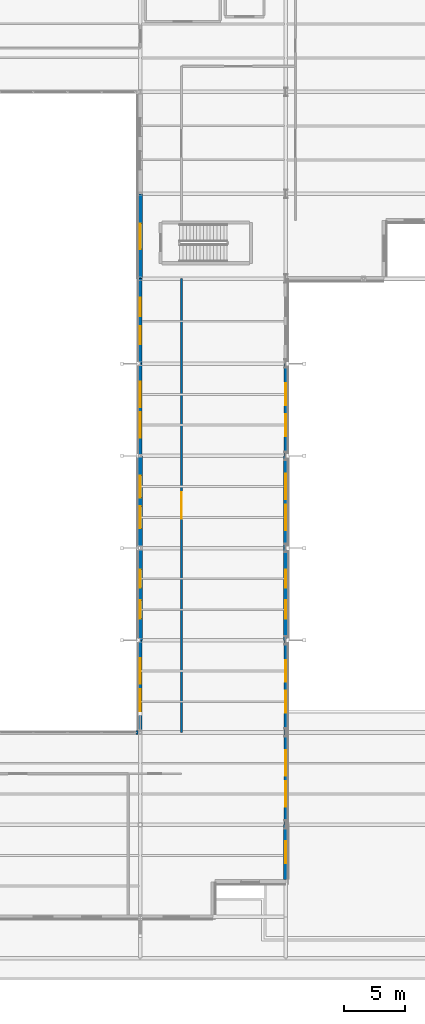
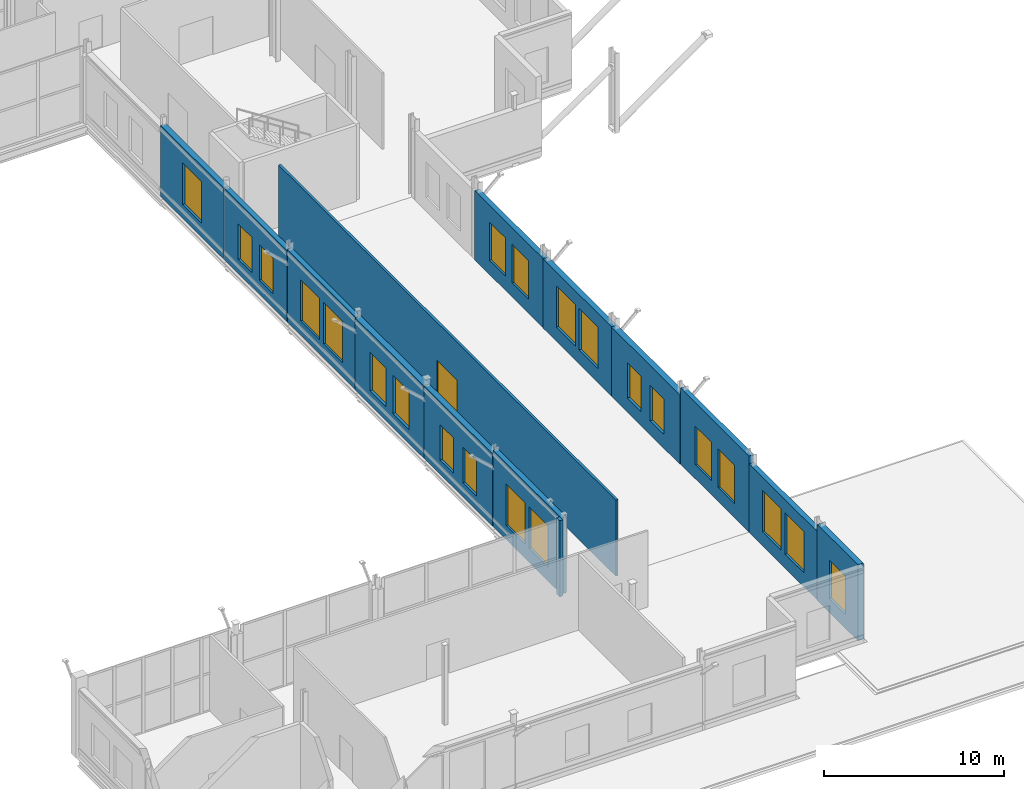
# One storey, part 125 of 147: 22 windows, 14 walls, 1 door, 23 openings.
"""IFC4 building model written with IfcOpenShell, lengths in metres."""

import ifcopenshell
import ifcopenshell.guid

model = None  # the IFC model being written
_history = None  # IfcOwnerHistory: only IFC2X3 demands one
_inside = {}  # id of a spatial element -> (the spatial element, [elements in it])
_under = {}  # id of a project, library or spatial element -> (it, [spatial elements below it])
_declared = {}  # id of a project -> (the project, [libraries it declares])
_typed = {}  # id of a type object -> (the type object, [elements of that type])
_made_of = {}  # id of a material, layer set ... -> (it, [elements and type objects made of it])


def new_model(schema):
    """Start an empty IFC model of exactly this schema.

    Asked for "IFC4X3", IfcOpenShell would pick the latest addendum, in which some entities
    have other attributes; the version numbers below select the first issue.
    IFC2X3 requires an IfcOwnerHistory on every rooted entity: one is made here for all.
    """
    global model, _history
    if schema == "IFC4X3":
        model = ifcopenshell.file(schema_version=(4, 3, 0, 0))
    else:
        model = ifcopenshell.file(schema=schema)
    _inside.clear()
    _under.clear()
    _declared.clear()
    _typed.clear()
    _made_of.clear()
    _history = None
    if model.schema == "IFC2X3":
        org = make("IfcOrganization", Name="unknown")
        user = make(
            "IfcPersonAndOrganization",
            ThePerson=make("IfcPerson", FamilyName="unknown"),
            TheOrganization=org,
        )
        app = make(
            "IfcApplication",
            ApplicationDeveloper=org,
            Version="unknown",
            ApplicationFullName="unknown",
            ApplicationIdentifier="unknown",
        )
        _history = make(
            "IfcOwnerHistory",
            OwningUser=user,
            OwningApplication=app,
            ChangeAction="ADDED",
            CreationDate=0,
        )
    return model


def make(cls, **values):
    """One entity of the class cls with the attributes given. An attribute that is None is left unset."""
    return model.create_entity(
        cls, **{name: value for name, value in values.items() if value is not None}
    )


def rooted(cls, **values):
    """An entity with a GlobalId (a new one), such as an element, a storey or a relation."""
    return make(cls, GlobalId=ifcopenshell.guid.new(), OwnerHistory=_history, **values)


def si_unit(unit_type, name, prefix=None):
    """IfcSIUnit, for example si_unit("LENGTHUNIT", "METRE", prefix="MILLI")."""
    return make("IfcSIUnit", UnitType=unit_type, Prefix=prefix, Name=name)


def assignment(units):
    """IfcUnitAssignment: the units of a project."""
    return None if units is None else make("IfcUnitAssignment", Units=units)


def point(xyz):
    """IfcCartesianPoint."""
    return None if xyz is None else make("IfcCartesianPoint", Coordinates=xyz)


def direction(xyz):
    """IfcDirection."""
    return None if xyz is None else make("IfcDirection", DirectionRatios=xyz)


def frame(location, z_axis=None, x_axis=None):
    """IfcAxis2Placement3D, a coordinate frame: its origin and axes. An axis left out is left unset."""
    return make(
        "IfcAxis2Placement3D",
        Location=point(location),
        Axis=direction(z_axis),
        RefDirection=direction(x_axis),
    )


def frame_2d(location, x_axis=None):
    """IfcAxis2Placement2D, a coordinate frame in the plane: its origin and x axis."""
    return make(
        "IfcAxis2Placement2D", Location=point(location), RefDirection=direction(x_axis)
    )


def origin():
    """The frame at (0, 0, 0) with its axes left unset."""
    return frame((0.0, 0.0, 0.0))


def place(relative_to, where):
    """IfcLocalPlacement: puts the frame where relative to a parent placement (None: the world)."""
    return make(
        "IfcLocalPlacement", PlacementRelTo=relative_to, RelativePlacement=where
    )


def context(
    kind, dimensions, precision=None, world=None, true_north=None, identifier=None
):
    """IfcGeometricRepresentationContext, for example the 3D "Model" context."""
    return make(
        "IfcGeometricRepresentationContext",
        ContextIdentifier=identifier,
        ContextType=kind,
        CoordinateSpaceDimension=dimensions,
        Precision=precision,
        WorldCoordinateSystem=world,
        TrueNorth=true_north,
    )


def subcontext(parent, identifier, kind, view, scale=None):
    """IfcGeometricRepresentationSubContext, for example "Body" below "Model"."""
    return make(
        "IfcGeometricRepresentationSubContext",
        ContextIdentifier=identifier,
        ContextType=kind,
        ParentContext=parent,
        TargetScale=scale,
        TargetView=view,
    )


def project(units=None, contexts=None):
    """IfcProject with its units and contexts."""
    return rooted(
        "IfcProject",
        Name="project",
        RepresentationContexts=contexts,
        UnitsInContext=assignment(units),
    )


def spatial(cls, under=None, at=None, **own):
    """A site, building, storey or space (cls), placed at a placement, below another one or the project."""
    s = rooted(cls, ObjectPlacement=at, **own)
    if under is not None:
        _under.setdefault(under.id(), (under, []))[1].append(s)
    return s


def profile(cls, at=None, kind="AREA", **sizes):
    """A parametric profile (cls). Its sizes go by their IFC names, for example OverallWidth=200.0."""
    return make(cls, ProfileType=kind, Position=at, **sizes)


def rectangle(**sizes):
    """IfcRectangleProfileDef."""
    return profile("IfcRectangleProfileDef", **sizes)


def extrude(swept, where, along, depth):
    """IfcExtrudedAreaSolid: the profile swept, set in the frame where, extruded along a direction by depth."""
    return make(
        "IfcExtrudedAreaSolid",
        SweptArea=swept,
        Position=where,
        ExtrudedDirection=direction(along),
        Depth=depth,
    )


def shape(context_of_items, identifier, shape_type, items):
    """IfcShapeRepresentation: the items that make up one representation, for example the "Body"."""
    return make(
        "IfcShapeRepresentation",
        ContextOfItems=context_of_items,
        RepresentationIdentifier=identifier,
        RepresentationType=shape_type,
        Items=items,
    )


def material(Name=None, Category=None):
    """IfcMaterial."""
    return make("IfcMaterial", Name=Name, Category=Category)


def layer(
    of_material, thickness, ventilated=None, Name=None, Category=None, Priority=None
):
    """IfcMaterialLayer: one layer of a wall or slab, of a material (None: an air gap)."""
    return make(
        "IfcMaterialLayer",
        Material=of_material,
        LayerThickness=thickness,
        IsVentilated=ventilated,
        Name=Name,
        Category=Category,
        Priority=Priority,
    )


def layer_set(layers, Name=None):
    """IfcMaterialLayerSet."""
    return make("IfcMaterialLayerSet", MaterialLayers=layers, LayerSetName=Name)


def made_of(thing, what):
    """Note that an element or type object is made of a material, layer set ...; save() writes the relation."""
    if what is not None:
        _made_of.setdefault(what.id(), (what, []))[1].append(thing)
    return thing


def type_object(cls, material=None, **own):
    """A type object (cls), such as IfcWallType, which elements share."""
    return made_of(rooted(cls, **own), material)


def element(
    cls,
    number,
    at=None,
    inside=None,
    cuts=None,
    type_object=None,
    material=None,
    context=None,
    identifier="Body",
    shape_type=None,
    held_by="IfcProductDefinitionShape",
    body=None,
    shapes=None,
    **own,
):
    """One element of the class cls, such as IfcWall. Its Tag is "e" and its number.

    at: its placement. inside: the storey or other place that contains it. cuts: it is an
    opening in that element (IfcRelVoidsElement). A single representation is given by context,
    identifier, shape_type and body (its items); several are given by shapes. held_by: the class
    of the entity that holds the representations. save() writes the other relations.
    """
    e = rooted(cls, Tag="e%d" % number, ObjectPlacement=at, **own)
    if body is not None:
        shapes = [shape(context, identifier, shape_type, body)]
    if shapes is not None:
        e.Representation = make(held_by, Representations=shapes)
    if inside is not None:
        _inside.setdefault(inside.id(), (inside, []))[1].append(e)
    if cuts is not None:
        rooted(
            "IfcRelVoidsElement", RelatingBuildingElement=cuts, RelatedOpeningElement=e
        )
    if type_object is not None:
        _typed.setdefault(type_object.id(), (type_object, []))[1].append(e)
    return made_of(e, material)


def fill(opening, filler):
    """IfcRelFillsElement: the door or window that sits in an opening."""
    return rooted(
        "IfcRelFillsElement",
        RelatingOpeningElement=opening,
        RelatedBuildingElement=filler,
    )


def aggregate(whole, parts):
    """IfcRelAggregates: a whole, such as a stair, and the parts it consists of."""
    return rooted("IfcRelAggregates", RelatingObject=whole, RelatedObjects=parts)


def save(model, path):
    """Write the relations noted so far, then the file.

    IfcRelAggregates (storeys below a building ...), IfcRelContainedInSpatialStructure (elements
    in a storey), IfcRelDefinesByType, IfcRelAssociatesMaterial and IfcRelDeclares: one each for
    every whole, place, type object, material and project.
    """
    for whole, parts in _under.values():
        aggregate(whole, parts)
    for where, things in _inside.values():
        rooted(
            "IfcRelContainedInSpatialStructure",
            RelatedElements=things,
            RelatingStructure=where,
        )
    for kind, things in _typed.values():
        rooted("IfcRelDefinesByType", RelatedObjects=things, RelatingType=kind)
    for what, things in _made_of.values():
        rooted("IfcRelAssociatesMaterial", RelatedObjects=things, RelatingMaterial=what)
    for by, libraries in _declared.values():
        rooted("IfcRelDeclares", RelatingContext=by, RelatedDefinitions=libraries)
    model.write(path)


model = new_model("IFC4")

# Units and contexts
model_context = context("Model", 3, precision=1e-05, world=origin(), true_north=direction((0.0, 1.0)))
body_context = subcontext(model_context, "Body", "Model", "MODEL_VIEW")
ifc_project = project(units=[si_unit("LENGTHUNIT", "METRE"), si_unit("AREAUNIT", "SQUARE_METRE"), si_unit("VOLUMEUNIT", "CUBIC_METRE"), si_unit("PLANEANGLEUNIT", "RADIAN"), si_unit("MASSUNIT", "GRAM", prefix="KILO")], contexts=[model_context])

# Site, building, storey
site_placement = place(None, origin())
site = spatial("IfcSite", under=ifc_project, at=site_placement, CompositionType="ELEMENT")
building_placement = place(site_placement, origin())
building = spatial("IfcBuilding", under=site, at=building_placement, Name="Vekula Escarpment Museum", CompositionType="ELEMENT")
storey_placement = place(building_placement, frame((0.0, 0.0, 7.800048828125)))
storey = spatial("IfcBuildingStorey", under=building, at=storey_placement, Name="L02", CompositionType="ELEMENT", Elevation=7.800048828125)

# Wall, openings, windows
ifc_material_1 = material(Name="Inkisi arkosic sandstone masonry", Category="masonry")
ifc_layer_1 = layer(ifc_material_1, 0.300048828125)
ifc_layer_set_1 = layer_set([ifc_layer_1], Name="Inkisi arkosic sandstone masonry")
wall_type_1 = type_object("IfcWallType", Name="WL-ALM-300", PredefinedType="SOLIDWALL", material=ifc_layer_set_1)
wall_1_placement = place(storey_placement, frame((167.0, 38.0, 0.0), z_axis=(0.0, 0.0, 1.0), x_axis=(0.0, 1.0, 0.0)))
wall_1 = element("IfcWall", 1, at=wall_1_placement, inside=storey, type_object=wall_type_1, Name="Exterior Wall WL-EXT-L02-0363", PredefinedType="SOLIDWALL", context=body_context, shape_type="SweptSolid", body=[
    extrude(rectangle(XDim=7.60009765625, YDim=0.300048828125, at=frame_2d((3.800048828125, 0.0))), origin(), (0.0, 0.0, 1.0), 4.89501953125),
])
opening_1_placement = place(wall_1_placement, frame((1.4833984375, 0.0, 0.949951171875)))
opening_1 = element("IfcOpeningElement", 2, at=opening_1_placement, cuts=wall_1, Name="Opening WN-08", PredefinedType="OPENING", context=body_context, shape_type="SweptSolid", body=[
    extrude(rectangle(XDim=2.10009765625, YDim=2.800048828125, at=frame_2d((1.050048828125, 1.39990234375))), frame((0.0, 0.159912109375, 0.0), z_axis=(0.0, -1.0, 0.0), x_axis=(1.0, 0.0, 0.0)), (0.0, 0.0, 1.0), 0.320068359375),
])
opening_2_placement = place(wall_1_placement, frame((4.0166015625, 0.0, 0.949951171875)))
opening_2 = element("IfcOpeningElement", 3, at=opening_2_placement, cuts=wall_1, Name="Opening WN-08", PredefinedType="OPENING", context=body_context, shape_type="SweptSolid", body=[
    extrude(rectangle(XDim=2.10009765625, YDim=2.800048828125, at=frame_2d((1.050048828125, 1.39990234375))), frame((0.0, 0.159912109375, 0.0), z_axis=(0.0, -1.0, 0.0), x_axis=(1.0, 0.0, 0.0)), (0.0, 0.0, 1.0), 0.320068359375),
])
ifc_material_2 = material(Name="Double solar-control low-E glass", Category="glass")
window_type_1 = type_object("IfcWindowType", Name="WN-CUMBA-21x28", PartitioningType="DOUBLE_PANEL_VERTICAL", PredefinedType="WINDOW", material=ifc_material_2)
window_1_placement = place(opening_1_placement, origin())
window_1 = element("IfcWindow", 4, at=window_1_placement, inside=storey, type_object=window_type_1, Name="Window L02-0150", OverallHeight=2.800048828125, OverallWidth=2.10009765625, PartitioningType="SINGLE_PANEL", PredefinedType="WINDOW", context=body_context, shape_type="SweptSolid", body=[
    extrude(rectangle(XDim=2.10009765625, YDim=2.800048828125, at=frame_2d((1.050048828125, 1.39990234375))), frame((0.0, 0.030029296875, 0.0), z_axis=(0.0, -1.0, 0.0), x_axis=(1.0, 0.0, 0.0)), (0.0, 0.0, 1.0), 0.06005859375),
])
fill(opening_1, window_1)
window_2_placement = place(opening_2_placement, origin())
window_2 = element("IfcWindow", 5, at=window_2_placement, inside=storey, type_object=window_type_1, Name="Window L02-0151", OverallHeight=2.800048828125, OverallWidth=2.10009765625, PartitioningType="SINGLE_PANEL", PredefinedType="WINDOW", context=body_context, shape_type="SweptSolid", body=[
    extrude(rectangle(XDim=2.10009765625, YDim=2.800048828125, at=frame_2d((1.050048828125, 1.39990234375))), frame((0.0, 0.030029296875, 0.0), z_axis=(0.0, -1.0, 0.0), x_axis=(1.0, 0.0, 0.0)), (0.0, 0.0, 1.0), 0.06005859375),
])
fill(opening_2, window_2)

wall_2_placement = place(storey_placement, frame((179.0, 22.800048828125, 0.0), z_axis=(0.0, 0.0, 1.0), x_axis=(0.0, -1.0, 0.0)))
wall_2 = element("IfcWall", 6, at=wall_2_placement, inside=storey, type_object=wall_type_1, Name="Exterior Wall WL-EXT-L02-0383", PredefinedType="SOLIDWALL", context=body_context, shape_type="SweptSolid", body=[
    extrude(rectangle(XDim=7.60009765625, YDim=0.300048828125, at=frame_2d((3.800048828125, 0.0))), origin(), (0.0, 0.0, 1.0), 5.14990234375),
])
opening_3_placement = place(wall_2_placement, frame((1.63330078125, 0.0, 0.949951171875)))
opening_3 = element("IfcOpeningElement", 7, at=opening_3_placement, cuts=wall_2, Name="Opening WN-07", PredefinedType="OPENING", context=body_context, shape_type="SweptSolid", body=[
    extrude(rectangle(XDim=1.800048828125, YDim=2.60009765625, at=frame_2d((0.89990234375, 1.300048828125))), frame((0.0, 0.159912109375, 0.0), z_axis=(0.0, -1.0, 0.0), x_axis=(1.0, 0.0, 0.0)), (0.0, 0.0, 1.0), 0.320068359375),
])
opening_4_placement = place(wall_2_placement, frame((4.166748046875, 0.0, 0.949951171875)))
opening_4 = element("IfcOpeningElement", 8, at=opening_4_placement, cuts=wall_2, Name="Opening WN-07", PredefinedType="OPENING", context=body_context, shape_type="SweptSolid", body=[
    extrude(rectangle(XDim=1.800048828125, YDim=2.60009765625, at=frame_2d((0.89990234375, 1.300048828125))), frame((0.0, 0.159912109375, 0.0), z_axis=(0.0, -1.0, 0.0), x_axis=(1.0, 0.0, 0.0)), (0.0, 0.0, 1.0), 0.320068359375),
])
ifc_material_3 = material(Name="Double solar-control low-E glass", Category="glass")
window_type_2 = type_object("IfcWindowType", Name="WN-CUMBA-18x26", PartitioningType="DOUBLE_PANEL_VERTICAL", PredefinedType="WINDOW", material=ifc_material_3)
window_3_placement = place(opening_3_placement, origin())
window_3 = element("IfcWindow", 9, at=window_3_placement, inside=storey, type_object=window_type_2, Name="Window L02-0173", OverallHeight=2.60009765625, OverallWidth=1.800048828125, PartitioningType="SINGLE_PANEL", PredefinedType="WINDOW", context=body_context, shape_type="SweptSolid", body=[
    extrude(rectangle(XDim=1.800048828125, YDim=2.60009765625, at=frame_2d((0.89990234375, 1.300048828125))), frame((0.0, 0.030029296875, 0.0), z_axis=(0.0, -1.0, 0.0), x_axis=(1.0, 0.0, 0.0)), (0.0, 0.0, 1.0), 0.06005859375),
])
fill(opening_3, window_3)
window_4_placement = place(opening_4_placement, origin())
window_4 = element("IfcWindow", 10, at=window_4_placement, inside=storey, type_object=window_type_2, Name="Window L02-0174", OverallHeight=2.60009765625, OverallWidth=1.800048828125, PartitioningType="SINGLE_PANEL", PredefinedType="WINDOW", context=body_context, shape_type="SweptSolid", body=[
    extrude(rectangle(XDim=1.800048828125, YDim=2.60009765625, at=frame_2d((0.89990234375, 1.300048828125))), frame((0.0, 0.030029296875, 0.0), z_axis=(0.0, -1.0, 0.0), x_axis=(1.0, 0.0, 0.0)), (0.0, 0.0, 1.0), 0.06005859375),
])
fill(opening_4, window_4)

ifc_material_4 = material(Name="Inkisi arkosic sandstone masonry", Category="masonry")
ifc_layer_2 = layer(ifc_material_4, 0.320068359375)
ifc_layer_set_2 = layer_set([ifc_layer_2], Name="Inkisi arkosic sandstone masonry")
wall_type_2 = type_object("IfcWallType", Name="WL-ALM-320", PredefinedType="SOLIDWALL", material=ifc_layer_set_2)
wall_3_placement = place(storey_placement, frame((167.0, 45.60009765625, 0.0), z_axis=(0.0, 0.0, 1.0), x_axis=(0.0, 1.0, 0.0)))
wall_3 = element("IfcWall", 11, at=wall_3_placement, inside=storey, type_object=wall_type_2, Name="Exterior Wall WL-EXT-L02-0362", PredefinedType="SOLIDWALL", context=body_context, shape_type="SweptSolid", body=[
    extrude(rectangle(XDim=7.0, YDim=0.320068359375, at=frame_2d((3.5, 0.0))), origin(), (0.0, 0.0, 1.0), 4.81494140625),
])
opening_5_placement = place(wall_3_placement, frame((1.583251953125, 0.0, 0.949951171875)))
opening_5 = element("IfcOpeningElement", 12, at=opening_5_placement, cuts=wall_3, Name="Opening WN-06", PredefinedType="OPENING", context=body_context, shape_type="SweptSolid", body=[
    extrude(rectangle(XDim=1.5, YDim=2.39990234375, at=frame_2d((0.75, 1.199951171875))), frame((0.0, 0.169921875, 0.0), z_axis=(0.0, -1.0, 0.0), x_axis=(1.0, 0.0, 0.0)), (0.0, 0.0, 1.0), 0.340087890625),
])
opening_6_placement = place(wall_3_placement, frame((3.916748046875, 0.0, 0.949951171875)))
opening_6 = element("IfcOpeningElement", 13, at=opening_6_placement, cuts=wall_3, Name="Opening WN-06", PredefinedType="OPENING", context=body_context, shape_type="SweptSolid", body=[
    extrude(rectangle(XDim=1.5, YDim=2.39990234375, at=frame_2d((0.75, 1.199951171875))), frame((0.0, 0.169921875, 0.0), z_axis=(0.0, -1.0, 0.0), x_axis=(1.0, 0.0, 0.0)), (0.0, 0.0, 1.0), 0.340087890625),
])
ifc_material_5 = material(Name="Double solar-control low-E glass", Category="glass")
window_type_3 = type_object("IfcWindowType", Name="WN-CUMBA-15x24", PartitioningType="SINGLE_PANEL", PredefinedType="WINDOW", material=ifc_material_5)
window_5_placement = place(opening_5_placement, origin())
window_5 = element("IfcWindow", 14, at=window_5_placement, inside=storey, type_object=window_type_3, Name="Window L02-0148", OverallHeight=2.39990234375, OverallWidth=1.5, PartitioningType="SINGLE_PANEL", PredefinedType="WINDOW", context=body_context, shape_type="SweptSolid", body=[
    extrude(rectangle(XDim=1.5, YDim=2.39990234375, at=frame_2d((0.75, 1.199951171875))), frame((0.0, 0.030029296875, 0.0), z_axis=(0.0, -1.0, 0.0), x_axis=(1.0, 0.0, 0.0)), (0.0, 0.0, 1.0), 0.06005859375),
])
fill(opening_5, window_5)
window_6_placement = place(opening_6_placement, origin())
window_6 = element("IfcWindow", 15, at=window_6_placement, inside=storey, type_object=window_type_3, Name="Window L02-0149", OverallHeight=2.39990234375, OverallWidth=1.5, PartitioningType="SINGLE_PANEL", PredefinedType="WINDOW", context=body_context, shape_type="SweptSolid", body=[
    extrude(rectangle(XDim=1.5, YDim=2.39990234375, at=frame_2d((0.75, 1.199951171875))), frame((0.0, 0.030029296875, 0.0), z_axis=(0.0, -1.0, 0.0), x_axis=(1.0, 0.0, 0.0)), (0.0, 0.0, 1.0), 0.06005859375),
])
fill(opening_6, window_6)

wall_4_placement = place(storey_placement, frame((167.0, 15.199951171875, 0.0), z_axis=(0.0, 0.0, 1.0), x_axis=(0.0, 1.0, 0.0)))
wall_4 = element("IfcWall", 16, at=wall_4_placement, inside=storey, type_object=wall_type_2, Name="Exterior Wall WL-EXT-L02-0366", PredefinedType="SOLIDWALL", context=body_context, shape_type="SweptSolid", body=[
    extrude(rectangle(XDim=7.60009765625, YDim=0.320068359375, at=frame_2d((3.800048828125, 0.0))), origin(), (0.0, 0.0, 1.0), 5.14990234375),
])
opening_7_placement = place(wall_4_placement, frame((1.4833984375, 0.0, 0.949951171875)))
opening_7 = element("IfcOpeningElement", 17, at=opening_7_placement, cuts=wall_4, Name="Opening WN-08", PredefinedType="OPENING", context=body_context, shape_type="SweptSolid", body=[
    extrude(rectangle(XDim=2.10009765625, YDim=2.800048828125, at=frame_2d((1.050048828125, 1.39990234375))), frame((0.0, 0.169921875, 0.0), z_axis=(0.0, -1.0, 0.0), x_axis=(1.0, 0.0, 0.0)), (0.0, 0.0, 1.0), 0.340087890625),
])
opening_8_placement = place(wall_4_placement, frame((4.0166015625, 0.0, 0.949951171875)))
opening_8 = element("IfcOpeningElement", 18, at=opening_8_placement, cuts=wall_4, Name="Opening WN-08", PredefinedType="OPENING", context=body_context, shape_type="SweptSolid", body=[
    extrude(rectangle(XDim=2.10009765625, YDim=2.800048828125, at=frame_2d((1.050048828125, 1.39990234375))), frame((0.0, 0.169921875, 0.0), z_axis=(0.0, -1.0, 0.0), x_axis=(1.0, 0.0, 0.0)), (0.0, 0.0, 1.0), 0.340087890625),
])
window_7_placement = place(opening_7_placement, origin())
window_7 = element("IfcWindow", 19, at=window_7_placement, inside=storey, type_object=window_type_1, Name="Window L02-0156", OverallHeight=2.800048828125, OverallWidth=2.10009765625, PartitioningType="SINGLE_PANEL", PredefinedType="WINDOW", context=body_context, shape_type="SweptSolid", body=[
    extrude(rectangle(XDim=2.10009765625, YDim=2.800048828125, at=frame_2d((1.050048828125, 1.39990234375))), frame((0.0, 0.030029296875, 0.0), z_axis=(0.0, -1.0, 0.0), x_axis=(1.0, 0.0, 0.0)), (0.0, 0.0, 1.0), 0.06005859375),
])
fill(opening_7, window_7)
window_8_placement = place(opening_8_placement, origin())
window_8 = element("IfcWindow", 20, at=window_8_placement, inside=storey, type_object=window_type_1, Name="Window L02-0157", OverallHeight=2.800048828125, OverallWidth=2.10009765625, PartitioningType="SINGLE_PANEL", PredefinedType="WINDOW", context=body_context, shape_type="SweptSolid", body=[
    extrude(rectangle(XDim=2.10009765625, YDim=2.800048828125, at=frame_2d((1.050048828125, 1.39990234375))), frame((0.0, 0.030029296875, 0.0), z_axis=(0.0, -1.0, 0.0), x_axis=(1.0, 0.0, 0.0)), (0.0, 0.0, 1.0), 0.06005859375),
])
fill(opening_8, window_8)

wall_5_placement = place(storey_placement, frame((179.0, 15.199951171875, 0.0), z_axis=(0.0, 0.0, 1.0), x_axis=(0.0, -1.0, 0.0)))
wall_5 = element("IfcWall", 21, at=wall_5_placement, inside=storey, type_object=wall_type_2, Name="Exterior Wall WL-EXT-L02-0382", PredefinedType="SOLIDWALL", context=body_context, shape_type="SweptSolid", body=[
    extrude(rectangle(XDim=7.599853515625, YDim=0.320068359375, at=frame_2d((3.7998046875, 0.0))), origin(), (0.0, 0.0, 1.0), 4.635009765625),
])
opening_9_placement = place(wall_5_placement, frame((1.4833984375, 0.0, 0.949951171875)))
opening_9 = element("IfcOpeningElement", 22, at=opening_9_placement, cuts=wall_5, Name="Opening WN-08", PredefinedType="OPENING", context=body_context, shape_type="SweptSolid", body=[
    extrude(rectangle(XDim=2.10009765625, YDim=2.800048828125, at=frame_2d((1.050048828125, 1.39990234375))), frame((0.0, 0.169921875, 0.0), z_axis=(0.0, -1.0, 0.0), x_axis=(1.0, 0.0, 0.0)), (0.0, 0.0, 1.0), 0.340087890625),
])
opening_10_placement = place(wall_5_placement, frame((4.0166015625, 0.0, 0.949951171875)))
opening_10 = element("IfcOpeningElement", 23, at=opening_10_placement, cuts=wall_5, Name="Opening WN-08", PredefinedType="OPENING", context=body_context, shape_type="SweptSolid", body=[
    extrude(rectangle(XDim=2.10009765625, YDim=2.800048828125, at=frame_2d((1.050048828125, 1.39990234375))), frame((0.0, 0.169921875, 0.0), z_axis=(0.0, -1.0, 0.0), x_axis=(1.0, 0.0, 0.0)), (0.0, 0.0, 1.0), 0.340087890625),
])
window_9_placement = place(opening_9_placement, origin())
window_9 = element("IfcWindow", 24, at=window_9_placement, inside=storey, type_object=window_type_1, Name="Window L02-0171", OverallHeight=2.800048828125, OverallWidth=2.10009765625, PartitioningType="SINGLE_PANEL", PredefinedType="WINDOW", context=body_context, shape_type="SweptSolid", body=[
    extrude(rectangle(XDim=2.10009765625, YDim=2.800048828125, at=frame_2d((1.050048828125, 1.39990234375))), frame((0.0, 0.030029296875, 0.0), z_axis=(0.0, -1.0, 0.0), x_axis=(1.0, 0.0, 0.0)), (0.0, 0.0, 1.0), 0.06005859375),
])
fill(opening_9, window_9)
window_10_placement = place(opening_10_placement, origin())
window_10 = element("IfcWindow", 25, at=window_10_placement, inside=storey, type_object=window_type_1, Name="Window L02-0172", OverallHeight=2.800048828125, OverallWidth=2.10009765625, PartitioningType="SINGLE_PANEL", PredefinedType="WINDOW", context=body_context, shape_type="SweptSolid", body=[
    extrude(rectangle(XDim=2.10009765625, YDim=2.800048828125, at=frame_2d((1.050048828125, 1.39990234375))), frame((0.0, 0.030029296875, 0.0), z_axis=(0.0, -1.0, 0.0), x_axis=(1.0, 0.0, 0.0)), (0.0, 0.0, 1.0), 0.06005859375),
])
fill(opening_10, window_10)

wall_6_placement = place(storey_placement, frame((179.0, 45.60009765625, 0.0), z_axis=(0.0, 0.0, 1.0), x_axis=(0.0, -1.0, 0.0)))
wall_6 = element("IfcWall", 26, at=wall_6_placement, inside=storey, type_object=wall_type_2, Name="Exterior Wall WL-EXT-L02-0386", PredefinedType="SOLIDWALL", context=body_context, shape_type="SweptSolid", body=[
    extrude(rectangle(XDim=7.60009765625, YDim=0.320068359375, at=frame_2d((3.800048828125, 0.0))), origin(), (0.0, 0.0, 1.0), 4.68505859375),
])
opening_11_placement = place(wall_6_placement, frame((1.63330078125, 0.0, 0.949951171875)))
opening_11 = element("IfcOpeningElement", 27, at=opening_11_placement, cuts=wall_6, Name="Opening WN-07", PredefinedType="OPENING", context=body_context, shape_type="SweptSolid", body=[
    extrude(rectangle(XDim=1.800048828125, YDim=2.60009765625, at=frame_2d((0.89990234375, 1.300048828125))), frame((0.0, 0.169921875, 0.0), z_axis=(0.0, -1.0, 0.0), x_axis=(1.0, 0.0, 0.0)), (0.0, 0.0, 1.0), 0.340087890625),
])
opening_12_placement = place(wall_6_placement, frame((4.166748046875, 0.0, 0.949951171875)))
opening_12 = element("IfcOpeningElement", 28, at=opening_12_placement, cuts=wall_6, Name="Opening WN-07", PredefinedType="OPENING", context=body_context, shape_type="SweptSolid", body=[
    extrude(rectangle(XDim=1.800048828125, YDim=2.60009765625, at=frame_2d((0.89990234375, 1.300048828125))), frame((0.0, 0.169921875, 0.0), z_axis=(0.0, -1.0, 0.0), x_axis=(1.0, 0.0, 0.0)), (0.0, 0.0, 1.0), 0.340087890625),
])
window_11_placement = place(opening_11_placement, origin())
window_11 = element("IfcWindow", 29, at=window_11_placement, inside=storey, type_object=window_type_2, Name="Window L02-0179", OverallHeight=2.60009765625, OverallWidth=1.800048828125, PartitioningType="SINGLE_PANEL", PredefinedType="WINDOW", context=body_context, shape_type="SweptSolid", body=[
    extrude(rectangle(XDim=1.800048828125, YDim=2.60009765625, at=frame_2d((0.89990234375, 1.300048828125))), frame((0.0, 0.030029296875, 0.0), z_axis=(0.0, -1.0, 0.0), x_axis=(1.0, 0.0, 0.0)), (0.0, 0.0, 1.0), 0.06005859375),
])
fill(opening_11, window_11)
window_12_placement = place(opening_12_placement, origin())
window_12 = element("IfcWindow", 30, at=window_12_placement, inside=storey, type_object=window_type_2, Name="Window L02-0180", OverallHeight=2.60009765625, OverallWidth=1.800048828125, PartitioningType="SINGLE_PANEL", PredefinedType="WINDOW", context=body_context, shape_type="SweptSolid", body=[
    extrude(rectangle(XDim=1.800048828125, YDim=2.60009765625, at=frame_2d((0.89990234375, 1.300048828125))), frame((0.0, 0.030029296875, 0.0), z_axis=(0.0, -1.0, 0.0), x_axis=(1.0, 0.0, 0.0)), (0.0, 0.0, 1.0), 0.06005859375),
])
fill(opening_12, window_12)

# Wall, opening, window
ifc_material_6 = material(Name="Inkisi arkosic sandstone masonry", Category="masonry")
ifc_layer_3 = layer(ifc_material_6, 0.35009765625)
ifc_layer_set_3 = layer_set([ifc_layer_3], Name="Inkisi arkosic sandstone masonry")
wall_type_3 = type_object("IfcWallType", Name="WL-ALM-350", PredefinedType="SOLIDWALL", material=ifc_layer_set_3)
wall_7_placement = place(storey_placement, frame((167.0, 52.60009765625, 0.0), z_axis=(0.0, 0.0, 1.0), x_axis=(0.0, 1.0, 0.0)))
wall_7 = element("IfcWall", 31, at=wall_7_placement, inside=storey, type_object=wall_type_3, Name="Exterior Wall WL-EXT-L02-0361", PredefinedType="SOLIDWALL", context=body_context, shape_type="SweptSolid", body=[
    extrude(rectangle(XDim=7.0, YDim=0.35009765625, at=frame_2d((3.5, 0.0))), origin(), (0.0, 0.0, 1.0), 4.81494140625),
])
opening_13_placement = place(wall_7_placement, frame((2.449951171875, 0.0, 0.949951171875)))
opening_13 = element("IfcOpeningElement", 32, at=opening_13_placement, cuts=wall_7, Name="Opening WN-08", PredefinedType="OPENING", context=body_context, shape_type="SweptSolid", body=[
    extrude(rectangle(XDim=2.10009765625, YDim=2.800048828125, at=frame_2d((1.050048828125, 1.39990234375))), frame((0.0, 0.18505859375, 0.0), z_axis=(0.0, -1.0, 0.0), x_axis=(1.0, 0.0, 0.0)), (0.0, 0.0, 1.0), 0.3701171875),
])
window_13_placement = place(opening_13_placement, origin())
window_13 = element("IfcWindow", 33, at=window_13_placement, inside=storey, type_object=window_type_1, Name="Window L02-0147", OverallHeight=2.800048828125, OverallWidth=2.10009765625, PartitioningType="SINGLE_PANEL", PredefinedType="WINDOW", context=body_context, shape_type="SweptSolid", body=[
    extrude(rectangle(XDim=2.10009765625, YDim=2.800048828125, at=frame_2d((1.050048828125, 1.39990234375))), frame((0.0, 0.030029296875, 0.0), z_axis=(0.0, -1.0, 0.0), x_axis=(1.0, 0.0, 0.0)), (0.0, 0.0, 1.0), 0.06005859375),
])
fill(opening_13, window_13)

# Wall, openings, windows
wall_8_placement = place(storey_placement, frame((167.0, 22.800048828125, 0.0), z_axis=(0.0, 0.0, 1.0), x_axis=(0.0, 1.0, 0.0)))
wall_8 = element("IfcWall", 34, at=wall_8_placement, inside=storey, type_object=wall_type_3, Name="Exterior Wall WL-EXT-L02-0365", PredefinedType="SOLIDWALL", context=body_context, shape_type="SweptSolid", body=[
    extrude(rectangle(XDim=7.599853515625, YDim=0.35009765625, at=frame_2d((3.7998046875, 0.0))), origin(), (0.0, 0.0, 1.0), 4.89501953125),
])
opening_14_placement = place(wall_8_placement, frame((1.783203125, 0.0, 0.949951171875)))
opening_14 = element("IfcOpeningElement", 35, at=opening_14_placement, cuts=wall_8, Name="Opening WN-06", PredefinedType="OPENING", context=body_context, shape_type="SweptSolid", body=[
    extrude(rectangle(XDim=1.5, YDim=2.39990234375, at=frame_2d((0.75, 1.199951171875))), frame((0.0, 0.18505859375, 0.0), z_axis=(0.0, -1.0, 0.0), x_axis=(1.0, 0.0, 0.0)), (0.0, 0.0, 1.0), 0.3701171875),
])
opening_15_placement = place(wall_8_placement, frame((4.316650390625, 0.0, 0.949951171875)))
opening_15 = element("IfcOpeningElement", 36, at=opening_15_placement, cuts=wall_8, Name="Opening WN-06", PredefinedType="OPENING", context=body_context, shape_type="SweptSolid", body=[
    extrude(rectangle(XDim=1.5, YDim=2.39990234375, at=frame_2d((0.75, 1.199951171875))), frame((0.0, 0.18505859375, 0.0), z_axis=(0.0, -1.0, 0.0), x_axis=(1.0, 0.0, 0.0)), (0.0, 0.0, 1.0), 0.3701171875),
])
window_14_placement = place(opening_14_placement, origin())
window_14 = element("IfcWindow", 37, at=window_14_placement, inside=storey, type_object=window_type_3, Name="Window L02-0154", OverallHeight=2.39990234375, OverallWidth=1.5, PartitioningType="SINGLE_PANEL", PredefinedType="WINDOW", context=body_context, shape_type="SweptSolid", body=[
    extrude(rectangle(XDim=1.5, YDim=2.39990234375, at=frame_2d((0.75, 1.199951171875))), frame((0.0, 0.030029296875, 0.0), z_axis=(0.0, -1.0, 0.0), x_axis=(1.0, 0.0, 0.0)), (0.0, 0.0, 1.0), 0.06005859375),
])
fill(opening_14, window_14)
window_15_placement = place(opening_15_placement, origin())
window_15 = element("IfcWindow", 38, at=window_15_placement, inside=storey, type_object=window_type_3, Name="Window L02-0155", OverallHeight=2.39990234375, OverallWidth=1.5, PartitioningType="SINGLE_PANEL", PredefinedType="WINDOW", context=body_context, shape_type="SweptSolid", body=[
    extrude(rectangle(XDim=1.5, YDim=2.39990234375, at=frame_2d((0.75, 1.199951171875))), frame((0.0, 0.030029296875, 0.0), z_axis=(0.0, -1.0, 0.0), x_axis=(1.0, 0.0, 0.0)), (0.0, 0.0, 1.0), 0.06005859375),
])
fill(opening_15, window_15)

# Wall
wall_9_placement = place(storey_placement, frame((166.8359375, 15.199951171875, 0.0), z_axis=(0.0, 0.0, 1.0), x_axis=(-1.0, 0.0, 0.0)))
element("IfcWall", 39, at=wall_9_placement, inside=storey, type_object=wall_type_3, Name="Facade Jamb Pier L02-0367A", PredefinedType="SOLIDWALL", context=body_context, shape_type="SweptSolid", body=[
    extrude(rectangle(XDim=0.196044921875, YDim=0.35009765625, at=frame_2d((0.09814453125, 0.0))), origin(), (0.0, 0.0, 1.0), 5.14990234375),
])

# Wall, opening, window
wall_10_placement = place(storey_placement, frame((179.0, 7.60009765625, 0.0), z_axis=(0.0, 0.0, 1.0), x_axis=(0.0, -1.0, 0.0)))
wall_10 = element("IfcWall", 40, at=wall_10_placement, inside=storey, type_object=wall_type_3, Name="Exterior Wall WL-EXT-L02-0381", PredefinedType="SOLIDWALL", context=body_context, shape_type="SweptSolid", body=[
    extrude(rectangle(XDim=4.51806640625, YDim=0.35009765625, at=frame_2d((2.259033203125, 0.0))), origin(), (0.0, 0.0, 1.0), 5.14990234375),
])
opening_16_placement = place(wall_10_placement, frame((1.35888671875, 0.0, 0.949951171875)))
opening_16 = element("IfcOpeningElement", 41, at=opening_16_placement, cuts=wall_10, Name="Opening WN-07", PredefinedType="OPENING", context=body_context, shape_type="SweptSolid", body=[
    extrude(rectangle(XDim=1.800048828125, YDim=2.60009765625, at=frame_2d((0.89990234375, 1.300048828125))), frame((0.0, 0.18505859375, 0.0), z_axis=(0.0, -1.0, 0.0), x_axis=(1.0, 0.0, 0.0)), (0.0, 0.0, 1.0), 0.3701171875),
])
window_16_placement = place(opening_16_placement, origin())
window_16 = element("IfcWindow", 42, at=window_16_placement, inside=storey, type_object=window_type_2, Name="Window L02-0170", OverallHeight=2.60009765625, OverallWidth=1.800048828125, PartitioningType="SINGLE_PANEL", PredefinedType="WINDOW", context=body_context, shape_type="SweptSolid", body=[
    extrude(rectangle(XDim=1.800048828125, YDim=2.60009765625, at=frame_2d((0.89990234375, 1.300048828125))), frame((0.0, 0.030029296875, 0.0), z_axis=(0.0, -1.0, 0.0), x_axis=(1.0, 0.0, 0.0)), (0.0, 0.0, 1.0), 0.06005859375),
])
fill(opening_16, window_16)

# Wall, openings, windows
wall_11_placement = place(storey_placement, frame((179.0, 38.0, 0.0), z_axis=(0.0, 0.0, 1.0), x_axis=(0.0, -1.0, 0.0)))
wall_11 = element("IfcWall", 43, at=wall_11_placement, inside=storey, type_object=wall_type_3, Name="Exterior Wall WL-EXT-L02-0385", PredefinedType="SOLIDWALL", context=body_context, shape_type="SweptSolid", body=[
    extrude(rectangle(XDim=7.60009765625, YDim=0.35009765625, at=frame_2d((3.800048828125, 0.0))), origin(), (0.0, 0.0, 1.0), 4.68505859375),
])
opening_17_placement = place(wall_11_placement, frame((1.4833984375, 0.0, 0.949951171875)))
opening_17 = element("IfcOpeningElement", 44, at=opening_17_placement, cuts=wall_11, Name="Opening WN-08", PredefinedType="OPENING", context=body_context, shape_type="SweptSolid", body=[
    extrude(rectangle(XDim=2.10009765625, YDim=2.800048828125, at=frame_2d((1.050048828125, 1.39990234375))), frame((0.0, 0.18505859375, 0.0), z_axis=(0.0, -1.0, 0.0), x_axis=(1.0, 0.0, 0.0)), (0.0, 0.0, 1.0), 0.3701171875),
])
opening_18_placement = place(wall_11_placement, frame((4.0166015625, 0.0, 0.949951171875)))
opening_18 = element("IfcOpeningElement", 45, at=opening_18_placement, cuts=wall_11, Name="Opening WN-08", PredefinedType="OPENING", context=body_context, shape_type="SweptSolid", body=[
    extrude(rectangle(XDim=2.10009765625, YDim=2.800048828125, at=frame_2d((1.050048828125, 1.39990234375))), frame((0.0, 0.18505859375, 0.0), z_axis=(0.0, -1.0, 0.0), x_axis=(1.0, 0.0, 0.0)), (0.0, 0.0, 1.0), 0.3701171875),
])
window_17_placement = place(opening_17_placement, origin())
window_17 = element("IfcWindow", 46, at=window_17_placement, inside=storey, type_object=window_type_1, Name="Window L02-0177", OverallHeight=2.800048828125, OverallWidth=2.10009765625, PartitioningType="SINGLE_PANEL", PredefinedType="WINDOW", context=body_context, shape_type="SweptSolid", body=[
    extrude(rectangle(XDim=2.10009765625, YDim=2.800048828125, at=frame_2d((1.050048828125, 1.39990234375))), frame((0.0, 0.030029296875, 0.0), z_axis=(0.0, -1.0, 0.0), x_axis=(1.0, 0.0, 0.0)), (0.0, 0.0, 1.0), 0.06005859375),
])
fill(opening_17, window_17)
window_18_placement = place(opening_18_placement, origin())
window_18 = element("IfcWindow", 47, at=window_18_placement, inside=storey, type_object=window_type_1, Name="Window L02-0178", OverallHeight=2.800048828125, OverallWidth=2.10009765625, PartitioningType="SINGLE_PANEL", PredefinedType="WINDOW", context=body_context, shape_type="SweptSolid", body=[
    extrude(rectangle(XDim=2.10009765625, YDim=2.800048828125, at=frame_2d((1.050048828125, 1.39990234375))), frame((0.0, 0.030029296875, 0.0), z_axis=(0.0, -1.0, 0.0), x_axis=(1.0, 0.0, 0.0)), (0.0, 0.0, 1.0), 0.06005859375),
])
fill(opening_18, window_18)

ifc_material_7 = material(Name="Inkisi arkosic sandstone masonry", Category="masonry")
ifc_layer_4 = layer(ifc_material_7, 0.3798828125)
ifc_layer_set_4 = layer_set([ifc_layer_4], Name="Inkisi arkosic sandstone masonry")
wall_type_4 = type_object("IfcWallType", Name="WL-ALM-380", PredefinedType="SOLIDWALL", material=ifc_layer_set_4)
wall_12_placement = place(storey_placement, frame((167.0, 30.39990234375, 0.0), z_axis=(0.0, 0.0, 1.0), x_axis=(0.0, 1.0, 0.0)))
wall_12 = element("IfcWall", 48, at=wall_12_placement, inside=storey, type_object=wall_type_4, Name="Exterior Wall WL-EXT-L02-0364", PredefinedType="SOLIDWALL", context=body_context, shape_type="SweptSolid", body=[
    extrude(rectangle(XDim=7.60009765625, YDim=0.3798828125, at=frame_2d((3.800048828125, 0.0))), origin(), (0.0, 0.0, 1.0), 4.89501953125),
])
opening_19_placement = place(wall_12_placement, frame((1.63330078125, 0.0, 0.949951171875)))
opening_19 = element("IfcOpeningElement", 49, at=opening_19_placement, cuts=wall_12, Name="Opening WN-07", PredefinedType="OPENING", context=body_context, shape_type="SweptSolid", body=[
    extrude(rectangle(XDim=1.800048828125, YDim=2.60009765625, at=frame_2d((0.89990234375, 1.300048828125))), frame((0.0, 0.199951171875, 0.0), z_axis=(0.0, -1.0, 0.0), x_axis=(1.0, 0.0, 0.0)), (0.0, 0.0, 1.0), 0.39990234375),
])
opening_20_placement = place(wall_12_placement, frame((4.166748046875, 0.0, 0.949951171875)))
opening_20 = element("IfcOpeningElement", 50, at=opening_20_placement, cuts=wall_12, Name="Opening WN-07", PredefinedType="OPENING", context=body_context, shape_type="SweptSolid", body=[
    extrude(rectangle(XDim=1.800048828125, YDim=2.60009765625, at=frame_2d((0.89990234375, 1.300048828125))), frame((0.0, 0.199951171875, 0.0), z_axis=(0.0, -1.0, 0.0), x_axis=(1.0, 0.0, 0.0)), (0.0, 0.0, 1.0), 0.39990234375),
])
window_19_placement = place(opening_19_placement, origin())
window_19 = element("IfcWindow", 51, at=window_19_placement, inside=storey, type_object=window_type_2, Name="Window L02-0152", OverallHeight=2.60009765625, OverallWidth=1.800048828125, PartitioningType="SINGLE_PANEL", PredefinedType="WINDOW", context=body_context, shape_type="SweptSolid", body=[
    extrude(rectangle(XDim=1.800048828125, YDim=2.60009765625, at=frame_2d((0.89990234375, 1.300048828125))), frame((0.0, 0.030029296875, 0.0), z_axis=(0.0, -1.0, 0.0), x_axis=(1.0, 0.0, 0.0)), (0.0, 0.0, 1.0), 0.06005859375),
])
fill(opening_19, window_19)
window_20_placement = place(opening_20_placement, origin())
window_20 = element("IfcWindow", 52, at=window_20_placement, inside=storey, type_object=window_type_2, Name="Window L02-0153", OverallHeight=2.60009765625, OverallWidth=1.800048828125, PartitioningType="SINGLE_PANEL", PredefinedType="WINDOW", context=body_context, shape_type="SweptSolid", body=[
    extrude(rectangle(XDim=1.800048828125, YDim=2.60009765625, at=frame_2d((0.89990234375, 1.300048828125))), frame((0.0, 0.030029296875, 0.0), z_axis=(0.0, -1.0, 0.0), x_axis=(1.0, 0.0, 0.0)), (0.0, 0.0, 1.0), 0.06005859375),
])
fill(opening_20, window_20)

wall_13_placement = place(storey_placement, frame((179.0, 30.39990234375, 0.0), z_axis=(0.0, 0.0, 1.0), x_axis=(0.0, -1.0, 0.0)))
wall_13 = element("IfcWall", 53, at=wall_13_placement, inside=storey, type_object=wall_type_4, Name="Exterior Wall WL-EXT-L02-0384", PredefinedType="SOLIDWALL", context=body_context, shape_type="SweptSolid", body=[
    extrude(rectangle(XDim=7.599853515625, YDim=0.3798828125, at=frame_2d((3.7998046875, 0.0))), origin(), (0.0, 0.0, 1.0), 4.68505859375),
])
opening_21_placement = place(wall_13_placement, frame((1.783203125, 0.0, 0.949951171875)))
opening_21 = element("IfcOpeningElement", 54, at=opening_21_placement, cuts=wall_13, Name="Opening WN-06", PredefinedType="OPENING", context=body_context, shape_type="SweptSolid", body=[
    extrude(rectangle(XDim=1.5, YDim=2.39990234375, at=frame_2d((0.75, 1.199951171875))), frame((0.0, 0.199951171875, 0.0), z_axis=(0.0, -1.0, 0.0), x_axis=(1.0, 0.0, 0.0)), (0.0, 0.0, 1.0), 0.39990234375),
])
opening_22_placement = place(wall_13_placement, frame((4.316650390625, 0.0, 0.949951171875)))
opening_22 = element("IfcOpeningElement", 55, at=opening_22_placement, cuts=wall_13, Name="Opening WN-06", PredefinedType="OPENING", context=body_context, shape_type="SweptSolid", body=[
    extrude(rectangle(XDim=1.5, YDim=2.39990234375, at=frame_2d((0.75, 1.199951171875))), frame((0.0, 0.199951171875, 0.0), z_axis=(0.0, -1.0, 0.0), x_axis=(1.0, 0.0, 0.0)), (0.0, 0.0, 1.0), 0.39990234375),
])
window_21_placement = place(opening_21_placement, origin())
window_21 = element("IfcWindow", 56, at=window_21_placement, inside=storey, type_object=window_type_3, Name="Window L02-0175", OverallHeight=2.39990234375, OverallWidth=1.5, PartitioningType="SINGLE_PANEL", PredefinedType="WINDOW", context=body_context, shape_type="SweptSolid", body=[
    extrude(rectangle(XDim=1.5, YDim=2.39990234375, at=frame_2d((0.75, 1.199951171875))), frame((0.0, 0.030029296875, 0.0), z_axis=(0.0, -1.0, 0.0), x_axis=(1.0, 0.0, 0.0)), (0.0, 0.0, 1.0), 0.06005859375),
])
fill(opening_21, window_21)
window_22_placement = place(opening_22_placement, origin())
window_22 = element("IfcWindow", 57, at=window_22_placement, inside=storey, type_object=window_type_3, Name="Window L02-0176", OverallHeight=2.39990234375, OverallWidth=1.5, PartitioningType="SINGLE_PANEL", PredefinedType="WINDOW", context=body_context, shape_type="SweptSolid", body=[
    extrude(rectangle(XDim=1.5, YDim=2.39990234375, at=frame_2d((0.75, 1.199951171875))), frame((0.0, 0.030029296875, 0.0), z_axis=(0.0, -1.0, 0.0), x_axis=(1.0, 0.0, 0.0)), (0.0, 0.0, 1.0), 0.06005859375),
])
fill(opening_22, window_22)

# Wall, opening, door
ifc_material_8 = material(Name="Gypsum board dry-lined partition", Category="gypsum")
ifc_layer_5 = layer(ifc_material_8, 0.14990234375)
ifc_layer_set_5 = layer_set([ifc_layer_5], Name="Gypsum board dry-lined partition")
wall_type_5 = type_object("IfcWallType", Name="WL-PART-150", PredefinedType="PARTITIONING", material=ifc_layer_set_5)
wall_14_placement = place(storey_placement, frame((170.39990234375, 15.199951171875, 0.0), z_axis=(0.0, 0.0, 1.0), x_axis=(0.0, 1.0, 0.0)))
wall_14 = element("IfcWall", 58, at=wall_14_placement, inside=storey, type_object=wall_type_5, Name="Interior Partition WL-INT-L02-0080", PredefinedType="PARTITIONING", context=body_context, shape_type="SweptSolid", body=[
    extrude(rectangle(XDim=37.400146484375, YDim=0.14990234375, at=frame_2d((18.7001953125, 0.0))), origin(), (0.0, 0.0, 1.0), 5.14990234375),
])
opening_23_placement = place(wall_14_placement, frame((17.60009765625, 0.0, 0.0)))
opening_23 = element("IfcOpeningElement", 59, at=opening_23_placement, cuts=wall_14, Name="Opening DR-GL22", PredefinedType="OPENING", context=body_context, shape_type="SweptSolid", body=[
    extrude(rectangle(XDim=2.199951171875, YDim=2.60009765625, at=frame_2d((1.10009765625, 1.300048828125))), frame((0.0, 0.0849609375, 0.0), z_axis=(0.0, -1.0, 0.0), x_axis=(1.0, 0.0, 0.0)), (0.0, 0.0, 1.0), 0.169921875),
])
ifc_material_9 = material(Name="Double acoustic timber gallery door", Category="wood")
door_type = type_object("IfcDoorType", Name="DR-GAL-2200x2600", OperationType="NOTDEFINED", PredefinedType="DOOR", material=ifc_material_9)
door_placement = place(opening_23_placement, origin())
door = element("IfcDoor", 60, at=door_placement, inside=storey, type_object=door_type, Name="Interior Door L02-070", OperationType="SINGLE_SWING_RIGHT", OverallHeight=2.60009765625, OverallWidth=2.199951171875, PredefinedType="DOOR", context=body_context, shape_type="SweptSolid", body=[
    extrude(rectangle(XDim=2.199951171875, YDim=2.60009765625, at=frame_2d((1.10009765625, 1.300048828125))), frame((0.0, 0.02490234375, 0.0), z_axis=(0.0, -1.0, 0.0), x_axis=(1.0, 0.0, 0.0)), (0.0, 0.0, 1.0), 0.050048828125),
])
fill(opening_23, door)

save(model, "model.ifc")
